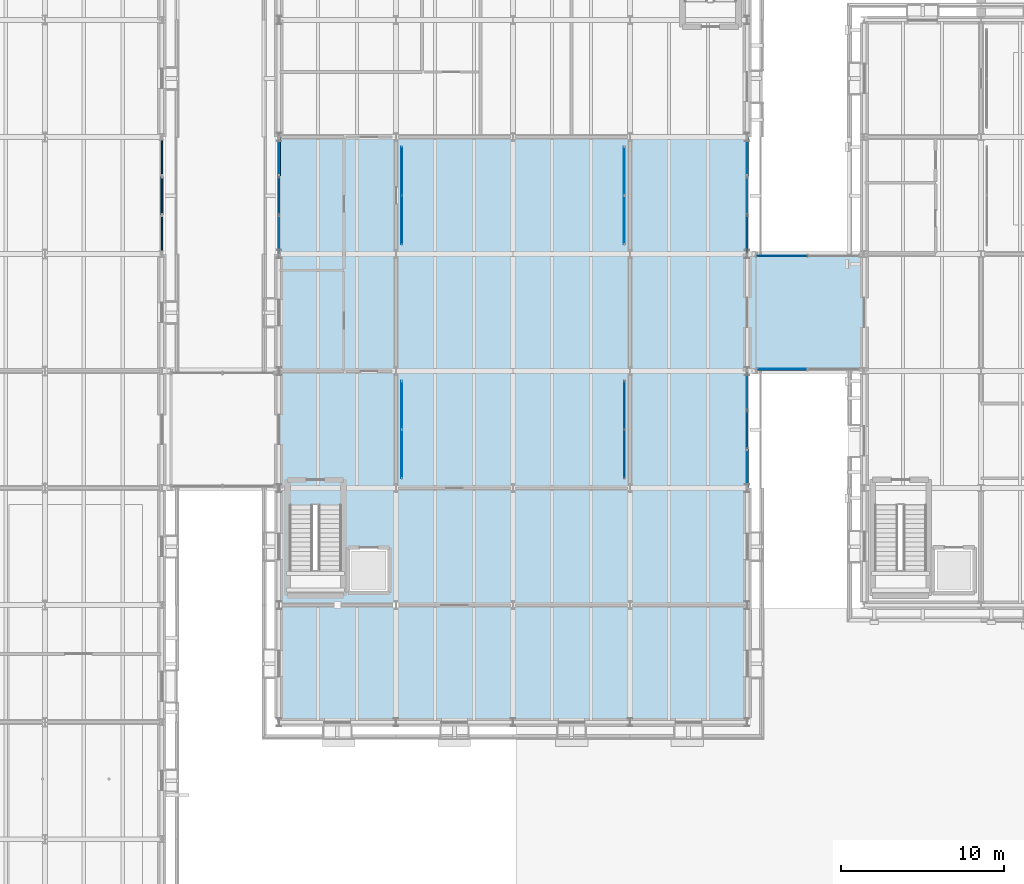
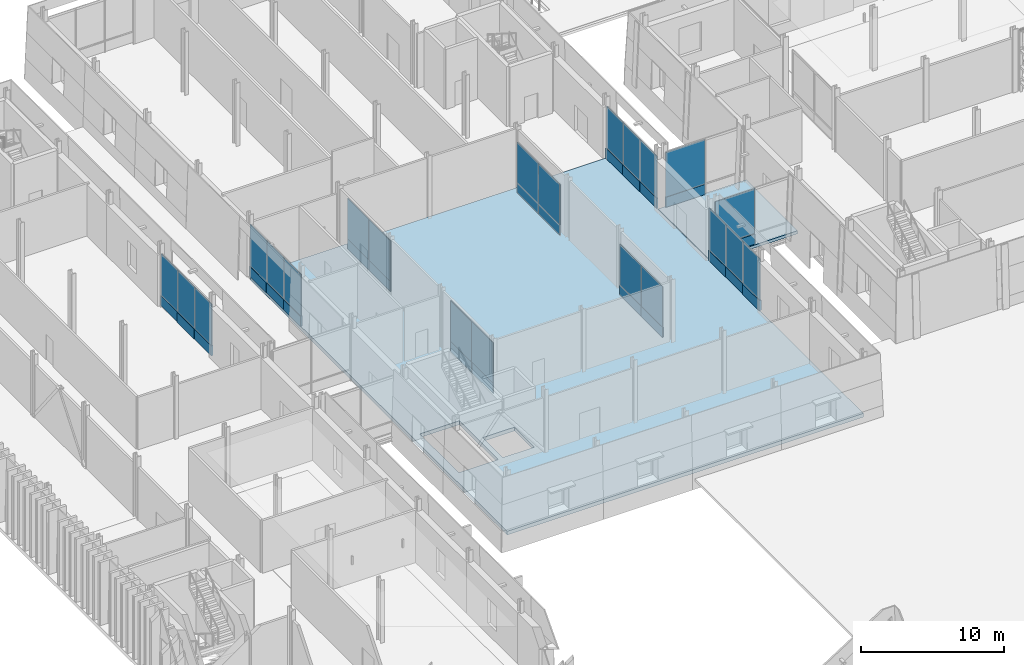
# One storey, part 59 of 120: 44 plates, 2 slabs, 10 elements without a shape of their own.
"""IFC4 building model written with IfcOpenShell, lengths in metres."""

from ifc_helpers import new_model, si_unit, direction, frame, origin, origin_2d, place, context, subcontext, project, spatial, polyline, rectangle, outline, extrude, material, layer, layer_set, type_object, element, aggregate, save


model = new_model("IFC4")

# Units and contexts
model_context = context("Model", 3, precision=1e-05, world=origin(), true_north=direction((0.0, 1.0)))
body_context = subcontext(model_context, "Body", "Model", "MODEL_VIEW")
ifc_project = project(units=[si_unit("LENGTHUNIT", "METRE"), si_unit("AREAUNIT", "SQUARE_METRE"), si_unit("VOLUMEUNIT", "CUBIC_METRE"), si_unit("PLANEANGLEUNIT", "RADIAN"), si_unit("MASSUNIT", "GRAM", prefix="KILO")], contexts=[model_context])

# Site, building, storey
site_placement = place(None, origin())
site = spatial("IfcSite", under=ifc_project, at=site_placement, CompositionType="ELEMENT")
building_placement = place(site_placement, origin())
building = spatial("IfcBuilding", under=site, at=building_placement, Name="Narikvali Park Central Library", CompositionType="ELEMENT")
storey_placement = place(building_placement, origin())
storey = spatial("IfcBuildingStorey", under=building, at=storey_placement, Name="L00", CompositionType="ELEMENT", Elevation=0.0)

# Slab
ifc_material_1 = material(Name="Concrete C40/50", Category="concrete")
ifc_layer_1 = layer(ifc_material_1, 0.25, Name="Concrete C40/50")
ifc_layer_set_1 = layer_set([ifc_layer_1], Name="Concrete C40/50")
slab_type_1 = type_object("IfcSlabType", Name="Bridge Sliding Deck Slab 250", PredefinedType="FLOOR", material=ifc_layer_set_1)
slab_1_placement = place(storey_placement, frame((0.0, 0.0, -0.25)))
element("IfcSlab", 1, at=slab_1_placement, inside=storey, type_object=slab_type_1, Name="BRG-2 L00 Covered Bridge Deck", PredefinedType="FLOOR", context=body_context, shape_type="SweptSolid", body=[
    extrude(outline(polyline([(57.639892578125, 72.0), (64.760009765625, 72.0), (64.760009765625, 79.199951171875), (57.639892578125, 79.199951171875), (57.639892578125, 72.0)])), origin(), (0.0, 0.0, 1.0), 0.25),
])

# Curtain wall, plate
ifc_material_2 = material(Name="Anodised Bronze Aluminium", Category="aluminium")
ifc_layer_2 = layer(ifc_material_2, 0.219970703125, Name="Anodised Bronze Aluminium")
ifc_layer_set_2 = layer_set([ifc_layer_2], Name="Anodised Bronze Aluminium")
curtain_wall_type_1 = type_object("IfcCurtainWallType", Name="Atrium Tall Curtain Wall System", PredefinedType="NOTDEFINED", material=ifc_layer_set_2)
curtain_wall_1_placement = place(storey_placement, origin())
curtain_wall_1 = element("IfcCurtainWall", 2, at=curtain_wall_1_placement, inside=storey, type_object=curtain_wall_type_1, Name="Atrium Tall Curtain Wall System CW-V4-L00-E-03", PredefinedType="NOTDEFINED")
ifc_material_3 = material(Name="Anodised Bronze Acoustic Spandrel Cassette")
ifc_layer_3 = layer(ifc_material_3, 0.1650390625, Name="Anodised Bronze Acoustic Spandrel Cassette")
ifc_layer_set_3 = layer_set([ifc_layer_3], Name="Anodised Bronze Acoustic Spandrel Cassette")
plate_type_1 = type_object("IfcPlateType", Name="Curtain Wall Acoustic Plenum Louvre Cassette 165", PredefinedType="CURTAIN_PANEL", material=ifc_layer_set_3)
plate_1_placement = place(storey_placement, frame((57.60009765625, 66.025390625, 0.03515625), z_axis=(0.0, 0.0, 1.0), x_axis=(0.0, 1.0, 0.0)))
plate_1 = element("IfcPlate", 3, at=plate_1_placement, type_object=plate_type_1, Name="CW-V4-L00-E-03 Panel 00-0", PredefinedType="CURTAIN_PANEL", context=body_context, shape_type="SweptSolid", body=[
    extrude(rectangle(XDim=2.36474609375, YDim=0.1650390625, at=origin_2d()), origin(), (0.0, 0.0, 1.0), 0.860107421875),
])

curtain_wall_2_placement = place(storey_placement, origin())
curtain_wall_2 = element("IfcCurtainWall", 4, at=curtain_wall_2_placement, inside=storey, type_object=curtain_wall_type_1, Name="Atrium Tall Curtain Wall System CW-V4-L00-E-05", PredefinedType="NOTDEFINED")
plate_2_placement = place(storey_placement, frame((57.60009765625, 85.1748046875, 0.03515625), z_axis=(0.0, 0.0, 1.0), x_axis=(0.0, 1.0, 0.0)))
plate_2 = element("IfcPlate", 5, at=plate_2_placement, type_object=plate_type_1, Name="CW-V4-L00-E-05 Panel 02-0", PredefinedType="CURTAIN_PANEL", context=body_context, shape_type="SweptSolid", body=[
    extrude(rectangle(XDim=2.36474609375, YDim=0.1650390625, at=origin_2d()), origin(), (0.0, 0.0, 1.0), 0.860107421875),
])

curtain_wall_3_placement = place(storey_placement, origin())
curtain_wall_3 = element("IfcCurtainWall", 6, at=curtain_wall_3_placement, inside=storey, type_object=curtain_wall_type_1, Name="Atrium Tall Curtain Wall System CW-V4-L00-W-05", PredefinedType="NOTDEFINED")
plate_3_placement = place(storey_placement, frame((28.800048828125, 85.1748046875, 0.03515625), z_axis=(0.0, 0.0, 1.0), x_axis=(0.0, -1.0, 0.0)))
plate_3 = element("IfcPlate", 7, at=plate_3_placement, type_object=plate_type_1, Name="CW-V4-L00-W-05 Panel 00-0", PredefinedType="CURTAIN_PANEL", context=body_context, shape_type="SweptSolid", body=[
    extrude(rectangle(XDim=2.36474609375, YDim=0.1650390625, at=origin_2d()), origin(), (0.0, 0.0, 1.0), 0.860107421875),
])

curtain_wall_4_placement = place(storey_placement, origin())
curtain_wall_4 = element("IfcCurtainWall", 8, at=curtain_wall_4_placement, inside=storey, type_object=curtain_wall_type_1, Name="Atrium Tall Curtain Wall System CW-V5-L00-E-08", PredefinedType="NOTDEFINED")
plate_4_placement = place(storey_placement, frame((21.60009765625, 82.800048828125, 0.03515625), z_axis=(0.0, 0.0, 1.0), x_axis=(0.0, 1.0, 0.0)))
plate_4 = element("IfcPlate", 9, at=plate_4_placement, type_object=plate_type_1, Name="CW-V5-L00-E-08 Panel 01-0", PredefinedType="CURTAIN_PANEL", context=body_context, shape_type="SweptSolid", body=[
    extrude(rectangle(XDim=2.36474609375, YDim=0.1650390625, at=origin_2d()), origin(), (0.0, 0.0, 1.0), 0.860107421875),
])

ifc_layer_4 = layer(ifc_material_2, 0.219970703125, Name="Anodised Bronze Aluminium")
ifc_layer_set_4 = layer_set([ifc_layer_4], Name="Anodised Bronze Aluminium")
curtain_wall_type_2 = type_object("IfcCurtainWallType", Name="Bridge Covered Passage Glazing System", PredefinedType="NOTDEFINED", material=ifc_layer_set_4)
curtain_wall_5_placement = place(storey_placement, origin())
curtain_wall_5 = element("IfcCurtainWall", 10, at=curtain_wall_5_placement, inside=storey, type_object=curtain_wall_type_2, Name="Bridge Covered Passage Glazing System CW-BRG-2-L00-S1", PredefinedType="NOTDEFINED")
plate_5_placement = place(storey_placement, frame((59.737548828125, 72.1201171875, 0.03515625), z_axis=(0.0, 0.0, 1.0), x_axis=(1.0, 0.0, 0.0)))
plate_5 = element("IfcPlate", 11, at=plate_5_placement, type_object=plate_type_1, Name="CW-BRG-2-L00-S1 Panel 00-0", PredefinedType="CURTAIN_PANEL", context=body_context, shape_type="SweptSolid", body=[
    extrude(rectangle(XDim=3.1650390625, YDim=0.1650390625, at=origin_2d()), origin(), (0.0, 0.0, 1.0), 0.860107421875),
])

# Plate
ifc_material_4 = material(Name="Heavy Acoustic Laminated Clerestory Glazing", Category="glass")
ifc_layer_5 = layer(ifc_material_4, 0.06396484375, Name="Heavy Acoustic Laminated Clerestory Glazing")
ifc_layer_set_5 = layer_set([ifc_layer_5], Name="Heavy Acoustic Laminated Clerestory Glazing")
plate_type_2 = type_object("IfcPlateType", Name="Curtain Wall Clerestory Laminated Acoustic Glass 64", PredefinedType="CURTAIN_PANEL", material=ifc_layer_set_5)
plate_6_placement = place(storey_placement, frame((21.60009765625, 80.42529296875, 0.905029296875), z_axis=(0.0, 0.0, 1.0), x_axis=(0.0, 1.0, 0.0)))
plate_6 = element("IfcPlate", 12, at=plate_6_placement, type_object=plate_type_2, Name="CW-V5-L00-E-08 Panel 00-1", PredefinedType="CURTAIN_PANEL", context=body_context, shape_type="SweptSolid", body=[
    extrude(rectangle(XDim=2.36474609375, YDim=0.06396484375, at=origin_2d()), origin(), (0.0, 0.0, 1.0), 3.5400390625),
])

plate_7_placement = place(storey_placement, frame((21.60009765625, 82.800048828125, 0.905029296875), z_axis=(0.0, 0.0, 1.0), x_axis=(0.0, 1.0, 0.0)))
plate_7 = element("IfcPlate", 13, at=plate_7_placement, type_object=plate_type_2, Name="CW-V5-L00-E-08 Panel 01-1", PredefinedType="CURTAIN_PANEL", context=body_context, shape_type="SweptSolid", body=[
    extrude(rectangle(XDim=2.36474609375, YDim=0.06396484375, at=origin_2d()), origin(), (0.0, 0.0, 1.0), 3.5400390625),
])

plate_8_placement = place(storey_placement, frame((21.60009765625, 85.1748046875, 0.905029296875), z_axis=(0.0, 0.0, 1.0), x_axis=(0.0, 1.0, 0.0)))
plate_8 = element("IfcPlate", 14, at=plate_8_placement, type_object=plate_type_2, Name="CW-V5-L00-E-08 Panel 02-1", PredefinedType="CURTAIN_PANEL", context=body_context, shape_type="SweptSolid", body=[
    extrude(rectangle(XDim=2.36474609375, YDim=0.06396484375, at=origin_2d()), origin(), (0.0, 0.0, 1.0), 3.5400390625),
])

# Curtain wall, plates
curtain_wall_6_placement = place(storey_placement, origin())
curtain_wall_6 = element("IfcCurtainWall", 15, at=curtain_wall_6_placement, inside=storey, type_object=curtain_wall_type_1, Name="Atrium Tall Curtain Wall System CW-GAL-V4-L00-ATR-W2", PredefinedType="NOTDEFINED")
plate_9_placement = place(storey_placement, frame((36.35009765625, 81.300048828125, 0.905029296875), z_axis=(0.0, 0.0, 1.0), x_axis=(0.0, 1.0, 0.0)))
plate_9 = element("IfcPlate", 16, at=plate_9_placement, type_object=plate_type_2, Name="CW-GAL-V4-L00-ATR-W2 Panel 00-1", PredefinedType="CURTAIN_PANEL", context=body_context, shape_type="SweptSolid", body=[
    extrude(rectangle(XDim=2.989990234375, YDim=0.06396484375, at=origin_2d()), origin(), (0.0, 0.0, 1.0), 3.4599609375),
])
plate_10_placement = place(storey_placement, frame((36.35009765625, 84.300048828125, 0.905029296875), z_axis=(0.0, 0.0, 1.0), x_axis=(0.0, 1.0, 0.0)))
plate_10 = element("IfcPlate", 17, at=plate_10_placement, type_object=plate_type_2, Name="CW-GAL-V4-L00-ATR-W2 Panel 01-1", PredefinedType="CURTAIN_PANEL", context=body_context, shape_type="SweptSolid", body=[
    extrude(rectangle(XDim=2.989990234375, YDim=0.06396484375, at=origin_2d()), origin(), (0.0, 0.0, 1.0), 3.4599609375),
])

curtain_wall_7_placement = place(storey_placement, origin())
curtain_wall_7 = element("IfcCurtainWall", 18, at=curtain_wall_7_placement, inside=storey, type_object=curtain_wall_type_1, Name="Atrium Tall Curtain Wall System CW-GAL-V4-L00-ATR-E1", PredefinedType="NOTDEFINED")
plate_11_placement = place(storey_placement, frame((50.050048828125, 66.89990234375, 0.03515625), z_axis=(0.0, 0.0, 1.0), x_axis=(0.0, 1.0, 0.0)))
plate_11 = element("IfcPlate", 19, at=plate_11_placement, type_object=plate_type_2, Name="CW-GAL-V4-L00-ATR-E1 Panel 00-0", PredefinedType="CURTAIN_PANEL", context=body_context, shape_type="SweptSolid", body=[
    extrude(rectangle(XDim=2.989990234375, YDim=0.06396484375, at=origin_2d()), origin(), (0.0, 0.0, 1.0), 0.860107421875),
])
plate_12_placement = place(storey_placement, frame((50.050048828125, 69.89990234375, 0.03515625), z_axis=(0.0, 0.0, 1.0), x_axis=(0.0, 1.0, 0.0)))
plate_12 = element("IfcPlate", 20, at=plate_12_placement, type_object=plate_type_2, Name="CW-GAL-V4-L00-ATR-E1 Panel 01-0", PredefinedType="CURTAIN_PANEL", context=body_context, shape_type="SweptSolid", body=[
    extrude(rectangle(XDim=2.989990234375, YDim=0.06396484375, at=origin_2d()), origin(), (0.0, 0.0, 1.0), 0.860107421875),
])

# Plate
ifc_material_5 = material(Name="Double Low-E Tempered Vision Glazing", Category="glass")
ifc_layer_6 = layer(ifc_material_5, 0.035888671875, Name="Double Low-E Tempered Vision Glazing")
ifc_layer_set_6 = layer_set([ifc_layer_6], Name="Double Low-E Tempered Vision Glazing")
plate_type_3 = type_object("IfcPlateType", Name="Curtain Wall Double Low-E Vision Glazing 36", PredefinedType="CURTAIN_PANEL", material=ifc_layer_set_6)
plate_13_placement = place(storey_placement, frame((57.60009765625, 66.025390625, 0.905029296875), z_axis=(0.0, 0.0, 1.0), x_axis=(0.0, 1.0, 0.0)))
plate_13 = element("IfcPlate", 21, at=plate_13_placement, type_object=plate_type_3, Name="CW-V4-L00-E-03 Panel 00-1", PredefinedType="CURTAIN_PANEL", context=body_context, shape_type="SweptSolid", body=[
    extrude(rectangle(XDim=2.36474609375, YDim=0.035888671875, at=origin_2d()), origin(), (0.0, 0.0, 1.0), 3.56005859375),
])

plate_14_placement = place(storey_placement, frame((57.60009765625, 68.39990234375, 0.905029296875), z_axis=(0.0, 0.0, 1.0), x_axis=(0.0, 1.0, 0.0)))
plate_14 = element("IfcPlate", 22, at=plate_14_placement, type_object=plate_type_3, Name="CW-V4-L00-E-03 Panel 01-1", PredefinedType="CURTAIN_PANEL", context=body_context, shape_type="SweptSolid", body=[
    extrude(rectangle(XDim=2.36474609375, YDim=0.035888671875, at=origin_2d()), origin(), (0.0, 0.0, 1.0), 3.56005859375),
])

plate_15_placement = place(storey_placement, frame((57.60009765625, 70.774658203125, 0.905029296875), z_axis=(0.0, 0.0, 1.0), x_axis=(0.0, 1.0, 0.0)))
plate_15 = element("IfcPlate", 23, at=plate_15_placement, type_object=plate_type_3, Name="CW-V4-L00-E-03 Panel 02-1", PredefinedType="CURTAIN_PANEL", context=body_context, shape_type="SweptSolid", body=[
    extrude(rectangle(XDim=2.36474609375, YDim=0.035888671875, at=origin_2d()), origin(), (0.0, 0.0, 1.0), 3.56005859375),
])

plate_16_placement = place(storey_placement, frame((28.800048828125, 85.1748046875, 0.905029296875), z_axis=(0.0, 0.0, 1.0), x_axis=(0.0, -1.0, 0.0)))
plate_16 = element("IfcPlate", 24, at=plate_16_placement, type_object=plate_type_3, Name="CW-V4-L00-W-05 Panel 00-1", PredefinedType="CURTAIN_PANEL", context=body_context, shape_type="SweptSolid", body=[
    extrude(rectangle(XDim=2.36474609375, YDim=0.035888671875, at=origin_2d()), origin(), (0.0, 0.0, 1.0), 3.56005859375),
])

plate_17_placement = place(storey_placement, frame((28.800048828125, 82.800048828125, 0.905029296875), z_axis=(0.0, 0.0, 1.0), x_axis=(0.0, -1.0, 0.0)))
plate_17 = element("IfcPlate", 25, at=plate_17_placement, type_object=plate_type_3, Name="CW-V4-L00-W-05 Panel 01-1", PredefinedType="CURTAIN_PANEL", context=body_context, shape_type="SweptSolid", body=[
    extrude(rectangle(XDim=2.36474609375, YDim=0.035888671875, at=origin_2d()), origin(), (0.0, 0.0, 1.0), 3.56005859375),
])

plate_18_placement = place(storey_placement, frame((28.800048828125, 80.42529296875, 0.905029296875), z_axis=(0.0, 0.0, 1.0), x_axis=(0.0, -1.0, 0.0)))
plate_18 = element("IfcPlate", 26, at=plate_18_placement, type_object=plate_type_3, Name="CW-V4-L00-W-05 Panel 02-1", PredefinedType="CURTAIN_PANEL", context=body_context, shape_type="SweptSolid", body=[
    extrude(rectangle(XDim=2.36474609375, YDim=0.035888671875, at=origin_2d()), origin(), (0.0, 0.0, 1.0), 3.56005859375),
])

plate_19_placement = place(storey_placement, frame((59.737548828125, 72.1201171875, 0.905029296875), z_axis=(0.0, 0.0, 1.0), x_axis=(1.0, 0.0, 0.0)))
plate_19 = element("IfcPlate", 27, at=plate_19_placement, type_object=plate_type_3, Name="CW-BRG-2-L00-S1 Panel 00-1", PredefinedType="CURTAIN_PANEL", context=body_context, shape_type="SweptSolid", body=[
    extrude(rectangle(XDim=3.1650390625, YDim=0.035888671875, at=origin_2d()), origin(), (0.0, 0.0, 1.0), 3.81005859375),
])

aggregate(curtain_wall_5, [plate_5, plate_19])

# Curtain wall, plates
curtain_wall_8_placement = place(storey_placement, origin())
curtain_wall_8 = element("IfcCurtainWall", 28, at=curtain_wall_8_placement, inside=storey, type_object=curtain_wall_type_1, Name="Atrium Tall Curtain Wall System CW-GAL-V4-L00-ATR-W1", PredefinedType="NOTDEFINED")
plate_20_placement = place(storey_placement, frame((36.35009765625, 66.89990234375, 0.03515625), z_axis=(0.0, 0.0, 1.0), x_axis=(0.0, 1.0, 0.0)))
plate_20 = element("IfcPlate", 29, at=plate_20_placement, type_object=plate_type_3, Name="CW-GAL-V4-L00-ATR-W1 Panel 00-0", PredefinedType="CURTAIN_PANEL", context=body_context, shape_type="SweptSolid", body=[
    extrude(rectangle(XDim=2.989990234375, YDim=0.035888671875, at=origin_2d()), origin(), (0.0, 0.0, 1.0), 0.860107421875),
])
plate_21_placement = place(storey_placement, frame((36.35009765625, 69.89990234375, 0.03515625), z_axis=(0.0, 0.0, 1.0), x_axis=(0.0, 1.0, 0.0)))
plate_21 = element("IfcPlate", 30, at=plate_21_placement, type_object=plate_type_3, Name="CW-GAL-V4-L00-ATR-W1 Panel 01-0", PredefinedType="CURTAIN_PANEL", context=body_context, shape_type="SweptSolid", body=[
    extrude(rectangle(XDim=2.989990234375, YDim=0.035888671875, at=origin_2d()), origin(), (0.0, 0.0, 1.0), 0.860107421875),
])

# Plate
plate_22_placement = place(storey_placement, frame((50.050048828125, 66.89990234375, 0.905029296875), z_axis=(0.0, 0.0, 1.0), x_axis=(0.0, 1.0, 0.0)))
plate_22 = element("IfcPlate", 31, at=plate_22_placement, type_object=plate_type_3, Name="CW-GAL-V4-L00-ATR-E1 Panel 00-1", PredefinedType="CURTAIN_PANEL", context=body_context, shape_type="SweptSolid", body=[
    extrude(rectangle(XDim=2.989990234375, YDim=0.035888671875, at=origin_2d()), origin(), (0.0, 0.0, 1.0), 3.4599609375),
])

plate_23_placement = place(storey_placement, frame((50.050048828125, 69.89990234375, 0.905029296875), z_axis=(0.0, 0.0, 1.0), x_axis=(0.0, 1.0, 0.0)))
plate_23 = element("IfcPlate", 32, at=plate_23_placement, type_object=plate_type_3, Name="CW-GAL-V4-L00-ATR-E1 Panel 01-1", PredefinedType="CURTAIN_PANEL", context=body_context, shape_type="SweptSolid", body=[
    extrude(rectangle(XDim=2.989990234375, YDim=0.035888671875, at=origin_2d()), origin(), (0.0, 0.0, 1.0), 3.4599609375),
])

aggregate(curtain_wall_7, [plate_11, plate_22, plate_12, plate_23])

# Curtain wall, plates
curtain_wall_9_placement = place(storey_placement, origin())
curtain_wall_9 = element("IfcCurtainWall", 33, at=curtain_wall_9_placement, inside=storey, type_object=curtain_wall_type_1, Name="Atrium Tall Curtain Wall System CW-GAL-V4-L00-ATR-E2", PredefinedType="NOTDEFINED")
plate_24_placement = place(storey_placement, frame((50.050048828125, 81.300048828125, 0.03515625), z_axis=(0.0, 0.0, 1.0), x_axis=(0.0, 1.0, 0.0)))
plate_24 = element("IfcPlate", 34, at=plate_24_placement, type_object=plate_type_3, Name="CW-GAL-V4-L00-ATR-E2 Panel 00-0", PredefinedType="CURTAIN_PANEL", context=body_context, shape_type="SweptSolid", body=[
    extrude(rectangle(XDim=2.989990234375, YDim=0.035888671875, at=origin_2d()), origin(), (0.0, 0.0, 1.0), 0.860107421875),
])
plate_25_placement = place(storey_placement, frame((50.050048828125, 84.300048828125, 0.03515625), z_axis=(0.0, 0.0, 1.0), x_axis=(0.0, 1.0, 0.0)))
plate_25 = element("IfcPlate", 35, at=plate_25_placement, type_object=plate_type_3, Name="CW-GAL-V4-L00-ATR-E2 Panel 01-0", PredefinedType="CURTAIN_PANEL", context=body_context, shape_type="SweptSolid", body=[
    extrude(rectangle(XDim=2.989990234375, YDim=0.035888671875, at=origin_2d()), origin(), (0.0, 0.0, 1.0), 0.860107421875),
])

# Plate
ifc_material_6 = material(Name="Anodised Bronze Insulated Spandrel Cassette")
ifc_layer_7 = layer(ifc_material_6, 0.110107421875, Name="Anodised Bronze Insulated Spandrel Cassette")
ifc_layer_set_7 = layer_set([ifc_layer_7], Name="Anodised Bronze Insulated Spandrel Cassette")
plate_type_4 = type_object("IfcPlateType", Name="Curtain Wall Insulated Bronze Spandrel Cassette 110", PredefinedType="CURTAIN_PANEL", material=ifc_layer_set_7)
plate_26_placement = place(storey_placement, frame((57.60009765625, 68.39990234375, 0.03515625), z_axis=(0.0, 0.0, 1.0), x_axis=(0.0, 1.0, 0.0)))
plate_26 = element("IfcPlate", 36, at=plate_26_placement, type_object=plate_type_4, Name="CW-V4-L00-E-03 Panel 01-0", PredefinedType="CURTAIN_PANEL", context=body_context, shape_type="SweptSolid", body=[
    extrude(rectangle(XDim=2.36474609375, YDim=0.110107421875, at=origin_2d()), origin(), (0.0, 0.0, 1.0), 0.860107421875),
])

plate_27_placement = place(storey_placement, frame((57.60009765625, 80.42529296875, 0.03515625), z_axis=(0.0, 0.0, 1.0), x_axis=(0.0, 1.0, 0.0)))
plate_27 = element("IfcPlate", 37, at=plate_27_placement, type_object=plate_type_4, Name="CW-V4-L00-E-05 Panel 00-0", PredefinedType="CURTAIN_PANEL", context=body_context, shape_type="SweptSolid", body=[
    extrude(rectangle(XDim=2.36474609375, YDim=0.110107421875, at=origin_2d()), origin(), (0.0, 0.0, 1.0), 0.860107421875),
])

plate_28_placement = place(storey_placement, frame((28.800048828125, 82.800048828125, 0.03515625), z_axis=(0.0, 0.0, 1.0), x_axis=(0.0, -1.0, 0.0)))
plate_28 = element("IfcPlate", 38, at=plate_28_placement, type_object=plate_type_4, Name="CW-V4-L00-W-05 Panel 01-0", PredefinedType="CURTAIN_PANEL", context=body_context, shape_type="SweptSolid", body=[
    extrude(rectangle(XDim=2.36474609375, YDim=0.110107421875, at=origin_2d()), origin(), (0.0, 0.0, 1.0), 0.860107421875),
])

plate_29_placement = place(storey_placement, frame((21.60009765625, 85.1748046875, 0.03515625), z_axis=(0.0, 0.0, 1.0), x_axis=(0.0, 1.0, 0.0)))
plate_29 = element("IfcPlate", 39, at=plate_29_placement, type_object=plate_type_4, Name="CW-V5-L00-E-08 Panel 02-0", PredefinedType="CURTAIN_PANEL", context=body_context, shape_type="SweptSolid", body=[
    extrude(rectangle(XDim=2.36474609375, YDim=0.110107421875, at=origin_2d()), origin(), (0.0, 0.0, 1.0), 0.860107421875),
])

# Curtain wall, plate
curtain_wall_10_placement = place(storey_placement, origin())
curtain_wall_10 = element("IfcCurtainWall", 40, at=curtain_wall_10_placement, inside=storey, type_object=curtain_wall_type_2, Name="Bridge Covered Passage Glazing System CW-BRG-2-L00-N1", PredefinedType="NOTDEFINED")
plate_30_placement = place(storey_placement, frame((59.737548828125, 79.080078125, 0.03515625), z_axis=(0.0, 0.0, 1.0), x_axis=(1.0, 0.0, 0.0)))
plate_30 = element("IfcPlate", 41, at=plate_30_placement, type_object=plate_type_4, Name="CW-BRG-2-L00-N1 Panel 00-0", PredefinedType="CURTAIN_PANEL", context=body_context, shape_type="SweptSolid", body=[
    extrude(rectangle(XDim=3.1650390625, YDim=0.110107421875, at=origin_2d()), origin(), (0.0, 0.0, 1.0), 0.860107421875),
])

# Plate
ifc_material_7 = material(Name="Mineral-Wool Shadow-Box Spandrel Assembly")
ifc_layer_8 = layer(ifc_material_7, 0.139892578125, Name="Mineral-Wool Shadow-Box Spandrel Assembly")
ifc_layer_set_8 = layer_set([ifc_layer_8], Name="Mineral-Wool Shadow-Box Spandrel Assembly")
plate_type_5 = type_object("IfcPlateType", Name="Curtain Wall Shadow-Box Mineral Spandrel Panel 140", PredefinedType="CURTAIN_PANEL", material=ifc_layer_set_8)
plate_31_placement = place(storey_placement, frame((57.60009765625, 70.774658203125, 0.03515625), z_axis=(0.0, 0.0, 1.0), x_axis=(0.0, 1.0, 0.0)))
plate_31 = element("IfcPlate", 42, at=plate_31_placement, type_object=plate_type_5, Name="CW-V4-L00-E-03 Panel 02-0", PredefinedType="CURTAIN_PANEL", context=body_context, shape_type="SweptSolid", body=[
    extrude(rectangle(XDim=2.36474609375, YDim=0.139892578125, at=origin_2d()), origin(), (0.0, 0.0, 1.0), 0.860107421875),
])

aggregate(curtain_wall_1, [plate_1, plate_13, plate_26, plate_14, plate_31, plate_15])

plate_32_placement = place(storey_placement, frame((57.60009765625, 82.800048828125, 0.03515625), z_axis=(0.0, 0.0, 1.0), x_axis=(0.0, 1.0, 0.0)))
plate_32 = element("IfcPlate", 43, at=plate_32_placement, type_object=plate_type_5, Name="CW-V4-L00-E-05 Panel 01-0", PredefinedType="CURTAIN_PANEL", context=body_context, shape_type="SweptSolid", body=[
    extrude(rectangle(XDim=2.36474609375, YDim=0.139892578125, at=origin_2d()), origin(), (0.0, 0.0, 1.0), 0.860107421875),
])

plate_33_placement = place(storey_placement, frame((28.800048828125, 80.42529296875, 0.03515625), z_axis=(0.0, 0.0, 1.0), x_axis=(0.0, -1.0, 0.0)))
plate_33 = element("IfcPlate", 44, at=plate_33_placement, type_object=plate_type_5, Name="CW-V4-L00-W-05 Panel 02-0", PredefinedType="CURTAIN_PANEL", context=body_context, shape_type="SweptSolid", body=[
    extrude(rectangle(XDim=2.36474609375, YDim=0.139892578125, at=origin_2d()), origin(), (0.0, 0.0, 1.0), 0.860107421875),
])

aggregate(curtain_wall_3, [plate_3, plate_16, plate_28, plate_17, plate_33, plate_18])

plate_34_placement = place(storey_placement, frame((21.60009765625, 80.42529296875, 0.03515625), z_axis=(0.0, 0.0, 1.0), x_axis=(0.0, 1.0, 0.0)))
plate_34 = element("IfcPlate", 45, at=plate_34_placement, type_object=plate_type_5, Name="CW-V5-L00-E-08 Panel 00-0", PredefinedType="CURTAIN_PANEL", context=body_context, shape_type="SweptSolid", body=[
    extrude(rectangle(XDim=2.36474609375, YDim=0.139892578125, at=origin_2d()), origin(), (0.0, 0.0, 1.0), 0.860107421875),
])

aggregate(curtain_wall_4, [plate_34, plate_6, plate_4, plate_7, plate_29, plate_8])

ifc_material_8 = material(Name="Triple Low-E Acoustic Laminated Glazing", Category="glass")
ifc_layer_9 = layer(ifc_material_8, 0.048095703125, Name="Triple Low-E Acoustic Laminated Glazing")
ifc_layer_set_9 = layer_set([ifc_layer_9], Name="Triple Low-E Acoustic Laminated Glazing")
plate_type_6 = type_object("IfcPlateType", Name="Curtain Wall Triple Solar-Acoustic Glazing 48", PredefinedType="CURTAIN_PANEL", material=ifc_layer_set_9)
plate_35_placement = place(storey_placement, frame((57.60009765625, 80.42529296875, 0.905029296875), z_axis=(0.0, 0.0, 1.0), x_axis=(0.0, 1.0, 0.0)))
plate_35 = element("IfcPlate", 46, at=plate_35_placement, type_object=plate_type_6, Name="CW-V4-L00-E-05 Panel 00-1", PredefinedType="CURTAIN_PANEL", context=body_context, shape_type="SweptSolid", body=[
    extrude(rectangle(XDim=2.36474609375, YDim=0.048095703125, at=origin_2d()), origin(), (0.0, 0.0, 1.0), 3.56005859375),
])

plate_36_placement = place(storey_placement, frame((57.60009765625, 82.800048828125, 0.905029296875), z_axis=(0.0, 0.0, 1.0), x_axis=(0.0, 1.0, 0.0)))
plate_36 = element("IfcPlate", 47, at=plate_36_placement, type_object=plate_type_6, Name="CW-V4-L00-E-05 Panel 01-1", PredefinedType="CURTAIN_PANEL", context=body_context, shape_type="SweptSolid", body=[
    extrude(rectangle(XDim=2.36474609375, YDim=0.048095703125, at=origin_2d()), origin(), (0.0, 0.0, 1.0), 3.56005859375),
])

plate_37_placement = place(storey_placement, frame((57.60009765625, 85.1748046875, 0.905029296875), z_axis=(0.0, 0.0, 1.0), x_axis=(0.0, 1.0, 0.0)))
plate_37 = element("IfcPlate", 48, at=plate_37_placement, type_object=plate_type_6, Name="CW-V4-L00-E-05 Panel 02-1", PredefinedType="CURTAIN_PANEL", context=body_context, shape_type="SweptSolid", body=[
    extrude(rectangle(XDim=2.36474609375, YDim=0.048095703125, at=origin_2d()), origin(), (0.0, 0.0, 1.0), 3.56005859375),
])

aggregate(curtain_wall_2, [plate_27, plate_35, plate_32, plate_36, plate_2, plate_37])

plate_38_placement = place(storey_placement, frame((59.737548828125, 79.080078125, 0.905029296875), z_axis=(0.0, 0.0, 1.0), x_axis=(1.0, 0.0, 0.0)))
plate_38 = element("IfcPlate", 49, at=plate_38_placement, type_object=plate_type_6, Name="CW-BRG-2-L00-N1 Panel 00-1", PredefinedType="CURTAIN_PANEL", context=body_context, shape_type="SweptSolid", body=[
    extrude(rectangle(XDim=3.1650390625, YDim=0.048095703125, at=origin_2d()), origin(), (0.0, 0.0, 1.0), 3.81005859375),
])

aggregate(curtain_wall_10, [plate_30, plate_38])

plate_39_placement = place(storey_placement, frame((36.35009765625, 66.89990234375, 0.905029296875), z_axis=(0.0, 0.0, 1.0), x_axis=(0.0, 1.0, 0.0)))
plate_39 = element("IfcPlate", 50, at=plate_39_placement, type_object=plate_type_6, Name="CW-GAL-V4-L00-ATR-W1 Panel 00-1", PredefinedType="CURTAIN_PANEL", context=body_context, shape_type="SweptSolid", body=[
    extrude(rectangle(XDim=2.989990234375, YDim=0.048095703125, at=origin_2d()), origin(), (0.0, 0.0, 1.0), 3.4599609375),
])

plate_40_placement = place(storey_placement, frame((36.35009765625, 69.89990234375, 0.905029296875), z_axis=(0.0, 0.0, 1.0), x_axis=(0.0, 1.0, 0.0)))
plate_40 = element("IfcPlate", 51, at=plate_40_placement, type_object=plate_type_6, Name="CW-GAL-V4-L00-ATR-W1 Panel 01-1", PredefinedType="CURTAIN_PANEL", context=body_context, shape_type="SweptSolid", body=[
    extrude(rectangle(XDim=2.989990234375, YDim=0.048095703125, at=origin_2d()), origin(), (0.0, 0.0, 1.0), 3.4599609375),
])

aggregate(curtain_wall_8, [plate_20, plate_39, plate_21, plate_40])

plate_41_placement = place(storey_placement, frame((36.35009765625, 81.300048828125, 0.03515625), z_axis=(0.0, 0.0, 1.0), x_axis=(0.0, 1.0, 0.0)))
plate_41 = element("IfcPlate", 52, at=plate_41_placement, type_object=plate_type_6, Name="CW-GAL-V4-L00-ATR-W2 Panel 00-0", PredefinedType="CURTAIN_PANEL", context=body_context, shape_type="SweptSolid", body=[
    extrude(rectangle(XDim=2.989990234375, YDim=0.048095703125, at=origin_2d()), origin(), (0.0, 0.0, 1.0), 0.860107421875),
])

plate_42_placement = place(storey_placement, frame((36.35009765625, 84.300048828125, 0.03515625), z_axis=(0.0, 0.0, 1.0), x_axis=(0.0, 1.0, 0.0)))
plate_42 = element("IfcPlate", 53, at=plate_42_placement, type_object=plate_type_6, Name="CW-GAL-V4-L00-ATR-W2 Panel 01-0", PredefinedType="CURTAIN_PANEL", context=body_context, shape_type="SweptSolid", body=[
    extrude(rectangle(XDim=2.989990234375, YDim=0.048095703125, at=origin_2d()), origin(), (0.0, 0.0, 1.0), 0.860107421875),
])

aggregate(curtain_wall_6, [plate_41, plate_9, plate_42, plate_10])

plate_43_placement = place(storey_placement, frame((50.050048828125, 81.300048828125, 0.905029296875), z_axis=(0.0, 0.0, 1.0), x_axis=(0.0, 1.0, 0.0)))
plate_43 = element("IfcPlate", 54, at=plate_43_placement, type_object=plate_type_6, Name="CW-GAL-V4-L00-ATR-E2 Panel 00-1", PredefinedType="CURTAIN_PANEL", context=body_context, shape_type="SweptSolid", body=[
    extrude(rectangle(XDim=2.989990234375, YDim=0.048095703125, at=origin_2d()), origin(), (0.0, 0.0, 1.0), 3.4599609375),
])

plate_44_placement = place(storey_placement, frame((50.050048828125, 84.300048828125, 0.905029296875), z_axis=(0.0, 0.0, 1.0), x_axis=(0.0, 1.0, 0.0)))
plate_44 = element("IfcPlate", 55, at=plate_44_placement, type_object=plate_type_6, Name="CW-GAL-V4-L00-ATR-E2 Panel 01-1", PredefinedType="CURTAIN_PANEL", context=body_context, shape_type="SweptSolid", body=[
    extrude(rectangle(XDim=2.989990234375, YDim=0.048095703125, at=origin_2d()), origin(), (0.0, 0.0, 1.0), 3.4599609375),
])

aggregate(curtain_wall_9, [plate_24, plate_43, plate_25, plate_44])

# Slab
ifc_material_9 = material(Name="Concrete C35/45", Category="concrete")
ifc_layer_10 = layer(ifc_material_9, 0.320068359375, Name="Concrete C35/45")
ifc_layer_set_10 = layer_set([ifc_layer_10], Name="Concrete C35/45")
slab_type_2 = type_object("IfcSlabType", Name="Ground Plinth Composite Slab 320", PredefinedType="FLOOR", material=ifc_layer_set_10)
slab_2_placement = place(storey_placement, frame((0.0, 0.0, -0.320068359375)))
element("IfcSlab", 56, at=slab_2_placement, inside=storey, type_object=slab_type_2, Name="V4 L00 Structural Slab Panel 1", PredefinedType="FLOOR", context=body_context, shape_type="SweptSolid", body=[
    extrude(outline(polyline([(28.800048828125, 50.39990234375), (57.60009765625, 50.39990234375), (57.60009765625, 86.39990234375), (28.800048828125, 86.39990234375), (28.800048828125, 50.39990234375)]), holes=[polyline([(29.449951171875, 58.300048828125), (32.64990234375, 58.300048828125), (32.64990234375, 63.75), (29.449951171875, 63.75), (29.449951171875, 58.300048828125)]), polyline([(33.050048828125, 58.35009765625), (35.60009765625, 58.35009765625), (35.60009765625, 61.14990234375), (33.050048828125, 61.14990234375), (33.050048828125, 58.35009765625)])]), origin(), (0.0, 0.0, 1.0), 0.320068359375),
])

save(model, "model.ifc")
